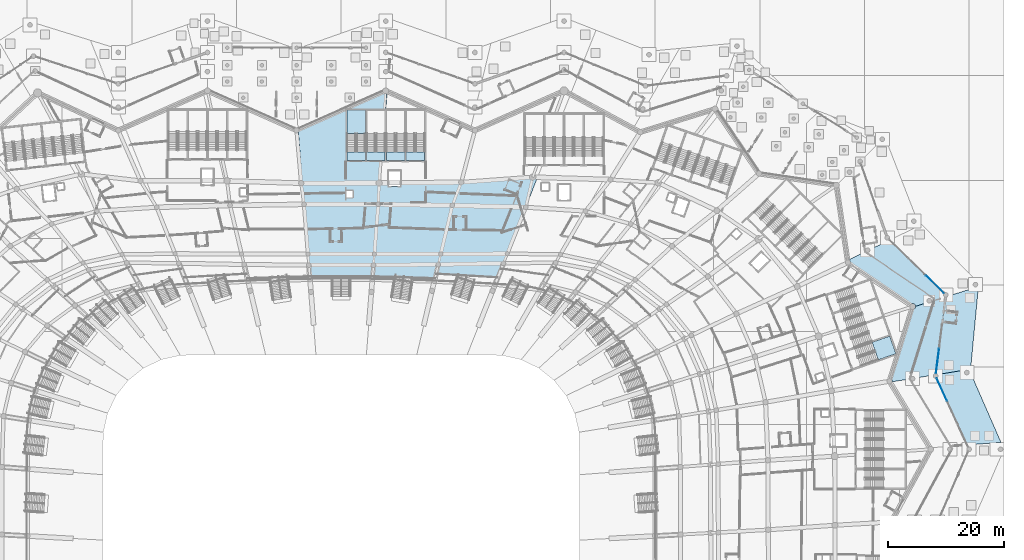
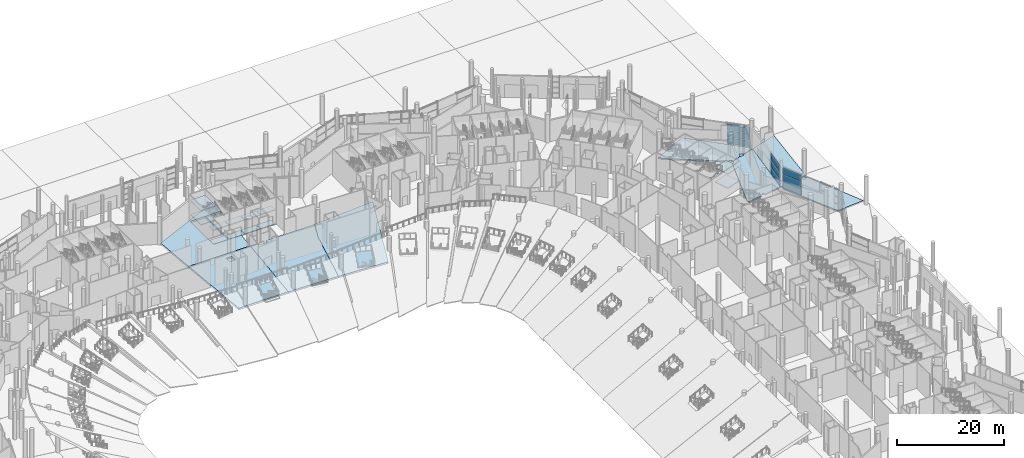
# One storey, part 95 of 255: 20 slabs, 9 plates, 8 elements without a shape of their own.
"""IFC4 building model written with IfcOpenShell, lengths in metres."""

from ifc_helpers import new_model, si_unit, direction, frame, origin, origin_2d, place, context, subcontext, project, spatial, polyline, rectangle, outline, extrude, material, layer, layer_set, type_object, element, aggregate, save


model = new_model("IFC4")

# Units and contexts
model_context = context("Model", 3, precision=1e-05, world=origin(), true_north=direction((0.0, 1.0)))
body_context = subcontext(model_context, "Body", "Model", "MODEL_VIEW")
ifc_project = project(units=[si_unit("LENGTHUNIT", "METRE"), si_unit("AREAUNIT", "SQUARE_METRE"), si_unit("VOLUMEUNIT", "CUBIC_METRE"), si_unit("PLANEANGLEUNIT", "RADIAN"), si_unit("MASSUNIT", "GRAM", prefix="KILO")], contexts=[model_context])

# Site, building, storey
site_placement = place(None, origin())
site = spatial("IfcSite", under=ifc_project, at=site_placement, CompositionType="ELEMENT")
building_placement = place(site_placement, origin())
building = spatial("IfcBuilding", under=site, at=building_placement, Name="Meseta Stadium", CompositionType="ELEMENT")
storey_placement = place(building_placement, origin())
storey = spatial("IfcBuildingStorey", under=building, at=storey_placement, Name="L00", CompositionType="ELEMENT", Elevation=0.0)

# Slabs
ifc_material_1 = material(Name="Concrete C40/50", Category="concrete")
ifc_layer_1 = layer(ifc_material_1, 0.39990234375)
ifc_layer_set_1 = layer_set([ifc_layer_1], Name="Floor slab 400")
slab_type_1 = type_object("IfcSlabType", Name="Floor slab 400", PredefinedType="FLOOR", material=ifc_layer_set_1)
slab_1_placement = place(storey_placement, frame((0.0, 0.0, -0.39990234375)))
element("IfcSlab", 1, at=slab_1_placement, inside=storey, type_object=slab_type_1, Name="Floor slab L00 sector 14 panel 05", PredefinedType="FLOOR", context=body_context, shape_type="SweptSolid", body=[
    extrude(outline(polyline([(7.92724609375, 105.284423828125), (7.666748046875, 105.39990234375), (-7.406005859375, 98.715576171875), (-6.676025390625, 89.518310546875), (6.51708984375, 89.54638671875), (6.678466796875, 89.547607421875), (6.984130859375, 93.39990234375), (4.36669921875, 93.39990234375), (4.36669921875, 102.10009765625), (7.566650390625, 102.10009765625), (7.566650390625, 100.740478515625), (7.92724609375, 105.284423828125)]), holes=[polyline([(4.166748046875, 93.39990234375), (0.966796875, 93.39990234375), (0.966796875, 102.10009765625), (4.166748046875, 102.10009765625), (4.166748046875, 93.39990234375)])]), origin(), (0.0, 0.0, 1.0), 0.39990234375),
])
slab_2_placement = place(storey_placement, frame((0.0, 0.0, -0.39990234375)))
element("IfcSlab", 2, at=slab_2_placement, inside=storey, type_object=slab_type_1, Name="Floor slab L00 sector 14 panel 06", PredefinedType="FLOOR", context=body_context, shape_type="SweptSolid", body=[
    extrude(outline(polyline([(5.36181640625, 72.959228515625), (6.678466796875, 89.547607421875), (6.51708984375, 89.54638671875), (-6.676025390625, 89.518310546875), (-5.36181640625, 72.959228515625), (-3.57568359375, 72.981689453125), (-1.7880859375, 72.99560546875), (0.0, 73.0), (1.7880859375, 72.99560546875), (3.57568359375, 72.981689453125), (5.36181640625, 72.959228515625)]), holes=[polyline([(2.0166015625, 88.25), (2.0166015625, 87.050048828125), (0.816650390625, 87.050048828125), (0.816650390625, 88.25), (2.0166015625, 88.25)])]), origin(), (0.0, 0.0, 1.0), 0.39990234375),
])
slab_3_placement = place(storey_placement, frame((0.0, 0.0, -0.39990234375)))
element("IfcSlab", 3, at=slab_3_placement, inside=storey, type_object=slab_type_1, Name="Floor slab L00 sector 14 panel 07", PredefinedType="FLOOR", context=body_context, shape_type="SweptSolid", body=[
    extrude(outline(polyline([(8.216796875, 89.0), (8.216796875, 89.5595703125), (6.678466796875, 89.547607421875), (5.36181640625, 72.959228515625), (7.145751953125, 72.927734375), (8.927001953125, 72.8876953125), (10.70458984375, 72.83935546875), (12.478271484375, 72.78271484375), (14.247314453125, 72.71826171875), (16.010986328125, 72.646484375), (19.11865234375, 85.698486328125), (20.649658203125, 89.65625), (10.11669921875, 89.574462890625), (10.11669921875, 89.0), (8.216796875, 89.0)])), origin(), (0.0, 0.0, 1.0), 0.39990234375),
])
slab_4_placement = place(storey_placement, frame((0.0, 0.0, -0.39990234375)))
element("IfcSlab", 4, at=slab_4_placement, inside=storey, type_object=slab_type_1, Name="Floor slab L00 sector 14 panel 09", PredefinedType="FLOOR", context=body_context, shape_type="SweptSolid", body=[
    extrude(outline(polyline([(33.779541015625, 90.524658203125), (32.944091796875, 90.551025390625), (20.649658203125, 89.65625), (19.11865234375, 85.6982421875), (16.010986328125, 72.646484375), (17.769287109375, 72.567626953125), (19.521240234375, 72.482177734375), (21.266845703125, 72.390625), (23.005615234375, 72.293212890625), (24.7373046875, 72.190673828125), (26.461669921875, 72.08349609375), (33.779541015625, 90.524658203125)])), origin(), (0.0, 0.0, 1.0), 0.39990234375),
])
ifc_material_2 = material(Name="Concrete C40/50", Category="concrete")
ifc_layer_2 = layer(ifc_material_2, 0.300048828125)
ifc_layer_set_2 = layer_set([ifc_layer_2], Name="Passage paving slab 300")
slab_type_2 = type_object("IfcSlabType", Name="Passage paving slab 300", PredefinedType="FLOOR", material=ifc_layer_set_2)
slab_5_placement = place(storey_placement, frame((0.0, 0.0, -0.300048828125)))
element("IfcSlab", 5, at=slab_5_placement, inside=storey, type_object=slab_type_2, Name="Covered passage paving 1 part 1 panel 03", PredefinedType="FLOOR", context=body_context, shape_type="SweptSolid", body=[
    extrude(outline(polyline([(102.541748046875, 56.606201171875), (108.255615234375, 57.526611328125), (109.601318359375, 71.726806640625), (104.326416015625, 70.072998046875), (104.275146484375, 70.00634765625), (104.191650390625, 69.942138671875), (104.094482421875, 69.90185546875), (103.989990234375, 69.88818359375), (103.940185546875, 69.89453125), (102.293701171875, 56.734130859375), (102.348388671875, 56.726806640625), (102.44580078125, 56.6865234375), (102.529296875, 56.62255859375), (102.541748046875, 56.606201171875)])), origin(), (0.0, 0.0, 1.0), 0.300048828125),
])
slab_6_placement = place(storey_placement, frame((0.0, 0.0, -0.300048828125)))
element("IfcSlab", 6, at=slab_6_placement, inside=storey, type_object=slab_type_2, Name="Covered passage paving 1 part 1 panel 04", PredefinedType="FLOOR", context=body_context, shape_type="SweptSolid", body=[
    extrude(outline(polyline([(113.480712890625, 44.938232421875), (108.206298828125, 57.009033203125), (108.255615234375, 57.526611328125), (102.541748046875, 56.606201171875), (102.593505859375, 56.538818359375), (102.6337890625, 56.441650390625), (102.647705078125, 56.337158203125), (102.6337890625, 56.23291015625), (102.593505859375, 56.135498046875), (102.529296875, 56.052001953125), (102.44580078125, 55.98779296875), (102.41064453125, 55.97314453125), (107.660888671875, 44.491455078125), (113.480712890625, 44.938232421875)]), holes=[polyline([(107.714599609375, 56.552001953125), (107.610107421875, 56.538330078125), (107.505615234375, 56.552001953125), (107.408447265625, 56.59228515625), (107.324951171875, 56.656494140625), (107.2607421875, 56.739990234375), (107.220458984375, 56.83740234375), (107.206787109375, 56.94189453125), (107.220458984375, 57.046142578125), (107.2607421875, 57.1435546875), (107.324951171875, 57.22705078125), (107.408447265625, 57.291259765625), (107.505615234375, 57.33154296875), (107.610107421875, 57.34521484375), (107.714599609375, 57.33154296875), (107.81201171875, 57.291259765625), (107.8955078125, 57.22705078125), (107.959716796875, 57.1435546875), (108.0, 57.046142578125), (108.013671875, 56.94189453125), (108.0, 56.83740234375), (107.959716796875, 56.739990234375), (107.8955078125, 56.656494140625), (107.81201171875, 56.59228515625), (107.714599609375, 56.552001953125)])]), origin(), (0.0, 0.0, 1.0), 0.300048828125),
])

# Curtain wall, plates
ifc_material_3 = material(Name="Aluminium", Category="aluminium")
ifc_layer_3 = layer(ifc_material_3, 0.199951171875)
ifc_layer_set_3 = layer_set([ifc_layer_3], Name="Ring shopfront curtain wall")
curtain_wall_type = type_object("IfcCurtainWallType", Name="Ring shopfront curtain wall", PredefinedType="NOTDEFINED", material=ifc_layer_set_3)
curtain_wall_1_placement = place(storey_placement, origin())
curtain_wall_1 = element("IfcCurtainWall", 7, at=curtain_wall_1_placement, inside=storey, type_object=curtain_wall_type, Name="Shopfront glazing F08b", PredefinedType="NOTDEFINED")
ifc_material_4 = material(Name="Glass", Category="glass")
ifc_layer_4 = layer(ifc_material_4, 0.035888671875)
ifc_layer_set_4 = layer_set([ifc_layer_4], Name="Ring CW glass panel 36")
plate_type = type_object("IfcPlateType", Name="Ring CW glass panel 36", PredefinedType="CURTAIN_PANEL", material=ifc_layer_set_4)
plate_1_placement = place(storey_placement, frame((103.308837890625, 54.0087890625, 0.150146484375), z_axis=(0.0, 0.0, 1.0), x_axis=(-0.415863140706, 0.909427208853, 0.0)))
plate_1 = element("IfcPlate", 8, at=plate_1_placement, type_object=plate_type, Name="CWR1 panel 1.1", PredefinedType="CURTAIN_PANEL", context=body_context, shape_type="SweptSolid", body=[
    extrude(rectangle(XDim=4.200439453125, YDim=0.035888671875, at=origin_2d()), origin(), (0.0, 0.0, 1.0), 1.3916015625),
])
plate_2_placement = place(storey_placement, frame((103.308837890625, 54.0087890625, 1.69189453125), z_axis=(0.0, 0.0, 1.0), x_axis=(-0.415863140706, 0.909427208853, 0.0)))
plate_2 = element("IfcPlate", 9, at=plate_2_placement, type_object=plate_type, Name="CWR1 panel 1.2", PredefinedType="CURTAIN_PANEL", context=body_context, shape_type="SweptSolid", body=[
    extrude(rectangle(XDim=4.200439453125, YDim=0.035888671875, at=origin_2d()), origin(), (0.0, 0.0, 1.0), 1.466552734375),
])
plate_3_placement = place(storey_placement, frame((103.308837890625, 54.0087890625, 3.308349609375), z_axis=(0.0, 0.0, 1.0), x_axis=(-0.415863140706, 0.909427208853, 0.0)))
plate_3 = element("IfcPlate", 10, at=plate_3_placement, type_object=plate_type, Name="CWR1 panel 1.3", PredefinedType="CURTAIN_PANEL", context=body_context, shape_type="SweptSolid", body=[
    extrude(rectangle(XDim=4.200439453125, YDim=0.035888671875, at=origin_2d()), origin(), (0.0, 0.0, 1.0), 1.3916015625),
])
aggregate(curtain_wall_1, [plate_1, plate_2, plate_3])

curtain_wall_2_placement = place(storey_placement, origin())
curtain_wall_2 = element("IfcCurtainWall", 11, at=curtain_wall_2_placement, inside=storey, type_object=curtain_wall_type, Name="Shopfront glazing F09a", PredefinedType="NOTDEFINED")
plate_4_placement = place(storey_placement, frame((102.56884765625, 58.932861328125, 0.150146484375), z_axis=(0.0, 0.0, 1.0), x_axis=(0.124131938531, 0.992265721385, 0.0)))
plate_4 = element("IfcPlate", 12, at=plate_4_placement, type_object=plate_type, Name="CWR1 panel 1.1", PredefinedType="CURTAIN_PANEL", context=body_context, shape_type="SweptSolid", body=[
    extrude(rectangle(XDim=4.3115234375, YDim=0.035888671875, at=origin_2d()), origin(), (0.0, 0.0, 1.0), 1.3916015625),
])
plate_5_placement = place(storey_placement, frame((102.56884765625, 58.932861328125, 1.69189453125), z_axis=(0.0, 0.0, 1.0), x_axis=(0.124131938531, 0.992265721385, 0.0)))
plate_5 = element("IfcPlate", 13, at=plate_5_placement, type_object=plate_type, Name="CWR1 panel 1.2", PredefinedType="CURTAIN_PANEL", context=body_context, shape_type="SweptSolid", body=[
    extrude(rectangle(XDim=4.3115234375, YDim=0.035888671875, at=origin_2d()), origin(), (0.0, 0.0, 1.0), 1.466552734375),
])
plate_6_placement = place(storey_placement, frame((102.56884765625, 58.932861328125, 3.308349609375), z_axis=(0.0, 0.0, 1.0), x_axis=(0.124131938531, 0.992265721385, 0.0)))
plate_6 = element("IfcPlate", 14, at=plate_6_placement, type_object=plate_type, Name="CWR1 panel 1.3", PredefinedType="CURTAIN_PANEL", context=body_context, shape_type="SweptSolid", body=[
    extrude(rectangle(XDim=4.3115234375, YDim=0.035888671875, at=origin_2d()), origin(), (0.0, 0.0, 1.0), 1.3916015625),
])
aggregate(curtain_wall_2, [plate_4, plate_5, plate_6])

curtain_wall_3_placement = place(storey_placement, origin())
curtain_wall_3 = element("IfcCurtainWall", 15, at=curtain_wall_3_placement, inside=storey, type_object=curtain_wall_type, Name="Shopfront glazing F10a", PredefinedType="NOTDEFINED")
plate_7_placement = place(storey_placement, frame((102.117919921875, 72.118408203125, 0.150146484375), z_axis=(0.0, 0.0, 1.0), x_axis=(-0.715729951712, 0.698377144688, 0.0)))
plate_7 = element("IfcPlate", 16, at=plate_7_placement, type_object=plate_type, Name="CWR1 panel 1.1", PredefinedType="CURTAIN_PANEL", context=body_context, shape_type="SweptSolid", body=[
    extrude(rectangle(XDim=4.3115234375, YDim=0.035888671875, at=origin_2d()), origin(), (0.0, 0.0, 1.0), 1.3916015625),
])
plate_8_placement = place(storey_placement, frame((102.117919921875, 72.118408203125, 1.69189453125), z_axis=(0.0, 0.0, 1.0), x_axis=(-0.715729951712, 0.698377144688, 0.0)))
plate_8 = element("IfcPlate", 17, at=plate_8_placement, type_object=plate_type, Name="CWR1 panel 1.2", PredefinedType="CURTAIN_PANEL", context=body_context, shape_type="SweptSolid", body=[
    extrude(rectangle(XDim=4.3115234375, YDim=0.035888671875, at=origin_2d()), origin(), (0.0, 0.0, 1.0), 1.466552734375),
])
plate_9_placement = place(storey_placement, frame((102.117919921875, 72.118408203125, 3.308349609375), z_axis=(0.0, 0.0, 1.0), x_axis=(-0.715729951712, 0.698377144688, 0.0)))
plate_9 = element("IfcPlate", 18, at=plate_9_placement, type_object=plate_type, Name="CWR1 panel 1.3", PredefinedType="CURTAIN_PANEL", context=body_context, shape_type="SweptSolid", body=[
    extrude(rectangle(XDim=4.3115234375, YDim=0.035888671875, at=origin_2d()), origin(), (0.0, 0.0, 1.0), 1.3916015625),
])
aggregate(curtain_wall_3, [plate_7, plate_8, plate_9])

# Slabs
ifc_material_5 = material(Name="Concrete C30/37", Category="concrete")
ifc_layer_5 = layer(ifc_material_5, 0.300048828125)
ifc_layer_set_5 = layer_set([ifc_layer_5], Name="Ring grade slab 300")
slab_type_3 = type_object("IfcSlabType", Name="Ring grade slab 300", PredefinedType="BASESLAB", material=ifc_layer_set_5)
slab_7_placement = place(storey_placement, frame((0.0, 0.0, -0.300048828125)))
element("IfcSlab", 19, at=slab_7_placement, inside=storey, type_object=slab_type_3, Name="Ring ground floor slab 1 part 1 panel 02", PredefinedType="BASESLAB", context=body_context, shape_type="SweptSolid", body=[
    extrude(outline(polyline([(103.640380859375, 70.493408203125), (103.70166015625, 70.572998046875), (94.31884765625, 79.728515625), (90.924560546875, 78.09619140625), (90.927490234375, 78.08935546875), (90.941162109375, 77.98486328125), (90.927490234375, 77.880615234375), (90.88720703125, 77.783203125), (90.822998046875, 77.69970703125), (90.739501953125, 77.635498046875), (90.64208984375, 77.59521484375), (90.53759765625, 77.581298828125), (90.433349609375, 77.59521484375), (90.3359375, 77.635498046875), (90.25244140625, 77.69970703125), (90.21142578125, 77.753173828125), (87.2333984375, 76.32080078125), (87.23681640625, 76.29931640625), (87.268310546875, 76.295166015625), (87.377685546875, 76.249755859375), (87.4716796875, 76.177734375), (87.5439453125, 76.083740234375), (87.589111328125, 75.97412109375), (87.604736328125, 75.856689453125), (87.58935546875, 75.740478515625), (97.980712890625, 68.689453125), (98.0390625, 68.734130859375), (98.16064453125, 68.78466796875), (98.291015625, 68.8017578125), (98.421630859375, 68.78466796875), (98.543212890625, 68.734130859375), (98.647705078125, 68.654052734375), (98.727783203125, 68.549560546875), (98.7783203125, 68.427978515625), (98.790283203125, 68.337158203125), (100.8779296875, 68.99169921875), (100.855224609375, 69.00927734375), (100.791015625, 69.0927734375), (100.750732421875, 69.190185546875), (100.737060546875, 69.29443359375), (100.750732421875, 69.39892578125), (100.791015625, 69.49609375), (100.855224609375, 69.579833984375), (100.938720703125, 69.643798828125), (101.0361328125, 69.68408203125), (101.140380859375, 69.697998046875), (101.2451171875, 69.68408203125), (101.34228515625, 69.643798828125), (101.42578125, 69.579833984375), (101.489990234375, 69.49609375), (101.5302734375, 69.39892578125), (101.5439453125, 69.29443359375), (101.531005859375, 69.196533203125), (103.84033203125, 69.920654296875), (103.7880859375, 69.942138671875), (103.70458984375, 70.00634765625), (103.640380859375, 70.08984375), (103.60009765625, 70.18701171875), (103.58642578125, 70.29150390625), (103.60009765625, 70.39599609375), (103.640380859375, 70.493408203125)])), origin(), (0.0, 0.0, 1.0), 0.300048828125),
])
slab_8_placement = place(storey_placement, frame((0.0, 0.0, -0.300048828125)))
element("IfcSlab", 20, at=slab_8_placement, inside=storey, type_object=slab_type_3, Name="Ring ground floor slab 1 part 1 panel 03", PredefinedType="BASESLAB", context=body_context, shape_type="SweptSolid", body=[
    extrude(outline(polyline([(103.940185546875, 69.89453125), (103.885498046875, 69.90185546875), (103.84033203125, 69.920654296875), (101.531005859375, 69.196533203125), (101.5302734375, 69.190185546875), (101.489990234375, 69.0927734375), (101.42578125, 69.00927734375), (101.34228515625, 68.945068359375), (101.2451171875, 68.90478515625), (101.140380859375, 68.89111328125), (101.0361328125, 68.90478515625), (100.938720703125, 68.945068359375), (100.8779296875, 68.99169921875), (98.790283203125, 68.337158203125), (98.79541015625, 68.297607421875), (98.7783203125, 68.1669921875), (98.727783203125, 68.04541015625), (98.647705078125, 67.94091796875), (98.543212890625, 67.860595703125), (98.421630859375, 67.810302734375), (98.29150390625, 67.793212890625), (94.563720703125, 55.802001953125), (94.615478515625, 55.762451171875), (94.6875, 55.66845703125), (94.73291015625, 55.558837890625), (94.748291015625, 55.44140625), (94.736083984375, 55.34912109375), (97.87060546875, 55.85400390625), (97.86572265625, 55.889404296875), (97.879638671875, 55.993896484375), (97.919921875, 56.091064453125), (97.98388671875, 56.174560546875), (98.0673828125, 56.23876953125), (98.164794921875, 56.279052734375), (98.269287109375, 56.292724609375), (98.373779296875, 56.279052734375), (98.470947265625, 56.23876953125), (98.554443359375, 56.174560546875), (98.61865234375, 56.091064453125), (98.658935546875, 55.993896484375), (98.66064453125, 55.981201171875), (101.87841796875, 56.49951171875), (101.894775390625, 56.538818359375), (101.958740234375, 56.62255859375), (102.04248046875, 56.6865234375), (102.1396484375, 56.726806640625), (102.244140625, 56.740478515625), (102.293701171875, 56.734130859375), (103.940185546875, 69.89453125)])), origin(), (0.0, 0.0, 1.0), 0.300048828125),
])

# Stair, slabs
ifc_material_6 = material(Name="Concrete C40/50", Category="concrete")
stair_type = type_object("IfcStairType", Name="Exit stair 4 flights 148 mm risers", PredefinedType="HALF_TURN_STAIR", material=ifc_material_6)
stair_1_placement = place(storey_placement, origin())
stair_1 = element("IfcStair", 21, at=stair_1_placement, inside=storey, type_object=stair_type, Name="ST21 L00", PredefinedType="HALF_TURN_STAIR")
ifc_material_7 = material(Name="Concrete C40/50", Category="concrete")
ifc_layer_6 = layer(ifc_material_7, 0.199951171875)
ifc_layer_set_6 = layer_set([ifc_layer_6], Name="Stair landing 200")
slab_type_4 = type_object("IfcSlabType", Name="Stair landing 200", PredefinedType="LANDING", material=ifc_layer_set_6)
slab_9_placement = place(storey_placement, frame((0.0, 0.0, 1.425048828125)))
slab_9 = element("IfcSlab", 22, at=slab_9_placement, type_object=slab_type_4, Name="ST21 L00 landing 1", PredefinedType="LANDING", context=body_context, shape_type="SweptSolid", body=[
    extrude(outline(polyline([(92.377197265625, 59.129638671875), (95.406982421875, 60.18994140625), (94.35009765625, 63.21044921875), (91.3203125, 62.150146484375), (92.377197265625, 59.129638671875)])), origin(), (0.0, 0.0, 1.0), 0.199951171875),
])
slab_10_placement = place(storey_placement, frame((0.0, 0.0, 4.675048828125)))
slab_10 = element("IfcSlab", 23, at=slab_10_placement, type_object=slab_type_4, Name="ST21 L00 landing 3", PredefinedType="LANDING", context=body_context, shape_type="SweptSolid", body=[
    extrude(outline(polyline([(92.377197265625, 59.129638671875), (95.406982421875, 60.18994140625), (94.35009765625, 63.21044921875), (91.3203125, 62.150146484375), (92.377197265625, 59.129638671875)])), origin(), (0.0, 0.0, 1.0), 0.199951171875),
])
aggregate(stair_1, [slab_9, slab_10])

stair_2_placement = place(storey_placement, origin())
stair_2 = element("IfcStair", 24, at=stair_2_placement, inside=storey, type_object=stair_type, Name="ST37 L00", PredefinedType="HALF_TURN_STAIR")
slab_11_placement = place(storey_placement, frame((0.0, 0.0, 3.050048828125)))
slab_11 = element("IfcSlab", 25, at=slab_11_placement, type_object=slab_type_4, Name="ST37 L00 landing 2", PredefinedType="LANDING", context=body_context, shape_type="SweptSolid", body=[
    extrude(outline(polyline([(14.36669921875, 93.39990234375), (14.36669921875, 94.909912109375), (11.166748046875, 94.909912109375), (11.166748046875, 93.39990234375), (14.36669921875, 93.39990234375)])), origin(), (0.0, 0.0, 1.0), 0.199951171875),
])
slab_12_placement = place(storey_placement, frame((0.0, 0.0, -0.199951171875)))
slab_12 = element("IfcSlab", 26, at=slab_12_placement, type_object=slab_type_4, Name="ST37 L00 landing 4", PredefinedType="LANDING", context=body_context, shape_type="SweptSolid", body=[
    extrude(outline(polyline([(14.36669921875, 93.39990234375), (14.36669921875, 94.909912109375), (11.166748046875, 94.909912109375), (11.166748046875, 93.39990234375), (14.36669921875, 93.39990234375)])), origin(), (0.0, 0.0, 1.0), 0.199951171875),
])
aggregate(stair_2, [slab_11, slab_12])

stair_3_placement = place(storey_placement, origin())
stair_3 = element("IfcStair", 27, at=stair_3_placement, inside=storey, type_object=stair_type, Name="ST38 L00", PredefinedType="HALF_TURN_STAIR")
slab_13_placement = place(storey_placement, frame((0.0, 0.0, 3.050048828125)))
slab_13 = element("IfcSlab", 28, at=slab_13_placement, type_object=slab_type_4, Name="ST38 L00 landing 2", PredefinedType="LANDING", context=body_context, shape_type="SweptSolid", body=[
    extrude(outline(polyline([(10.966552734375, 93.39990234375), (10.966552734375, 94.909912109375), (7.7666015625, 94.909912109375), (7.7666015625, 93.39990234375), (10.966552734375, 93.39990234375)])), origin(), (0.0, 0.0, 1.0), 0.199951171875),
])
slab_14_placement = place(storey_placement, frame((0.0, 0.0, -0.199951171875)))
slab_14 = element("IfcSlab", 29, at=slab_14_placement, type_object=slab_type_4, Name="ST38 L00 landing 4", PredefinedType="LANDING", context=body_context, shape_type="SweptSolid", body=[
    extrude(outline(polyline([(10.966552734375, 93.39990234375), (10.966552734375, 94.909912109375), (7.7666015625, 94.909912109375), (7.7666015625, 93.39990234375), (10.966552734375, 93.39990234375)])), origin(), (0.0, 0.0, 1.0), 0.199951171875),
])
aggregate(stair_3, [slab_13, slab_14])

stair_4_placement = place(storey_placement, origin())
stair_4 = element("IfcStair", 30, at=stair_4_placement, inside=storey, type_object=stair_type, Name="ST39 L00", PredefinedType="HALF_TURN_STAIR")
slab_15_placement = place(storey_placement, frame((0.0, 0.0, 3.050048828125)))
slab_15 = element("IfcSlab", 31, at=slab_15_placement, type_object=slab_type_4, Name="ST39 L00 landing 2", PredefinedType="LANDING", context=body_context, shape_type="SweptSolid", body=[
    extrude(outline(polyline([(7.566650390625, 93.39990234375), (7.566650390625, 94.909912109375), (4.36669921875, 94.909912109375), (4.36669921875, 93.39990234375), (7.566650390625, 93.39990234375)])), origin(), (0.0, 0.0, 1.0), 0.199951171875),
])
slab_16_placement = place(storey_placement, frame((0.0, 0.0, -0.199951171875)))
slab_16 = element("IfcSlab", 32, at=slab_16_placement, type_object=slab_type_4, Name="ST39 L00 landing 4", PredefinedType="LANDING", context=body_context, shape_type="SweptSolid", body=[
    extrude(outline(polyline([(7.566650390625, 93.39990234375), (7.566650390625, 94.909912109375), (4.36669921875, 94.909912109375), (4.36669921875, 93.39990234375), (7.566650390625, 93.39990234375)])), origin(), (0.0, 0.0, 1.0), 0.199951171875),
])
aggregate(stair_4, [slab_15, slab_16])

stair_5_placement = place(storey_placement, origin())
stair_5 = element("IfcStair", 33, at=stair_5_placement, inside=storey, type_object=stair_type, Name="ST40 L00", PredefinedType="HALF_TURN_STAIR")
slab_17_placement = place(storey_placement, frame((0.0, 0.0, 1.425048828125)))
slab_17 = element("IfcSlab", 34, at=slab_17_placement, type_object=slab_type_4, Name="ST40 L00 landing 1", PredefinedType="LANDING", context=body_context, shape_type="SweptSolid", body=[
    extrude(outline(polyline([(4.166748046875, 98.090087890625), (4.166748046875, 102.10009765625), (0.966552734375, 102.10009765625), (0.966552734375, 98.090087890625), (4.166748046875, 98.090087890625)])), origin(), (0.0, 0.0, 1.0), 0.199951171875),
])
slab_18_placement = place(storey_placement, frame((0.0, 0.0, 3.050048828125)))
slab_18 = element("IfcSlab", 35, at=slab_18_placement, type_object=slab_type_4, Name="ST40 L00 landing 2", PredefinedType="LANDING", context=body_context, shape_type="SweptSolid", body=[
    extrude(outline(polyline([(4.166748046875, 93.39990234375), (4.166748046875, 94.909912109375), (0.966552734375, 94.909912109375), (0.966552734375, 93.39990234375), (4.166748046875, 93.39990234375)])), origin(), (0.0, 0.0, 1.0), 0.199951171875),
])
slab_19_placement = place(storey_placement, frame((0.0, 0.0, 4.675048828125)))
slab_19 = element("IfcSlab", 36, at=slab_19_placement, type_object=slab_type_4, Name="ST40 L00 landing 3", PredefinedType="LANDING", context=body_context, shape_type="SweptSolid", body=[
    extrude(outline(polyline([(4.166748046875, 98.090087890625), (4.166748046875, 102.10009765625), (0.966552734375, 102.10009765625), (0.966552734375, 98.090087890625), (4.166748046875, 98.090087890625)])), origin(), (0.0, 0.0, 1.0), 0.199951171875),
])
slab_20_placement = place(storey_placement, frame((0.0, 0.0, -0.199951171875)))
slab_20 = element("IfcSlab", 37, at=slab_20_placement, type_object=slab_type_4, Name="ST40 L00 landing 4", PredefinedType="LANDING", context=body_context, shape_type="SweptSolid", body=[
    extrude(outline(polyline([(4.166748046875, 93.39990234375), (4.166748046875, 94.909912109375), (0.966552734375, 94.909912109375), (0.966552734375, 93.39990234375), (4.166748046875, 93.39990234375)])), origin(), (0.0, 0.0, 1.0), 0.199951171875),
])
aggregate(stair_5, [slab_17, slab_18, slab_19, slab_20])

save(model, "model.ifc")
